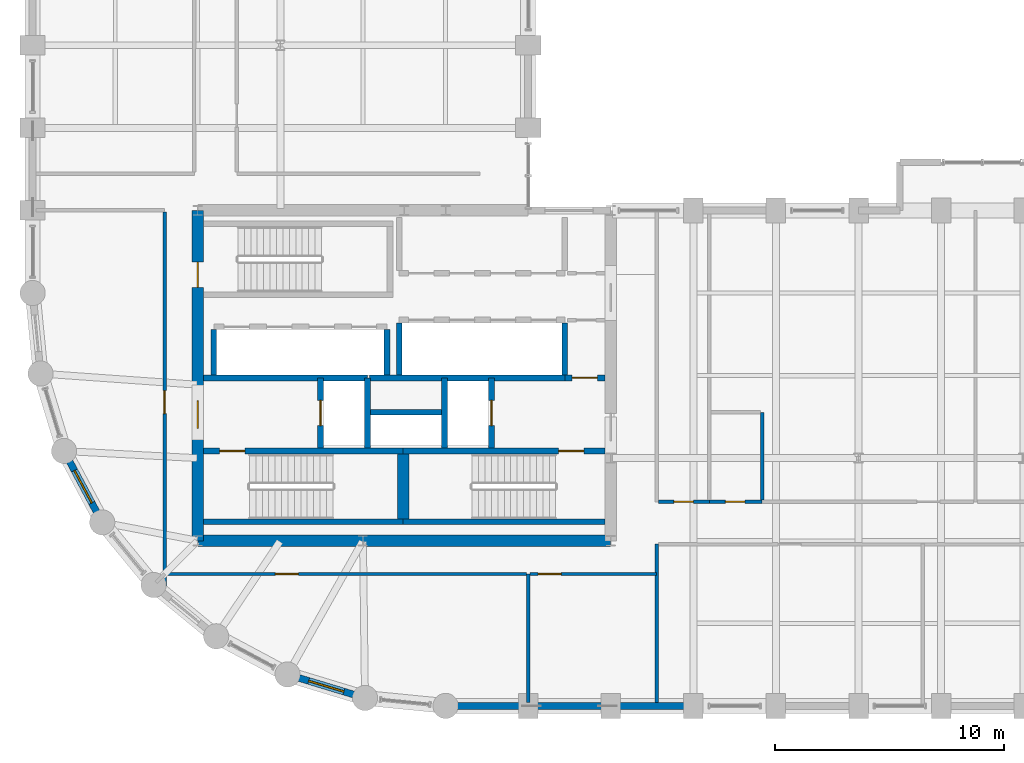
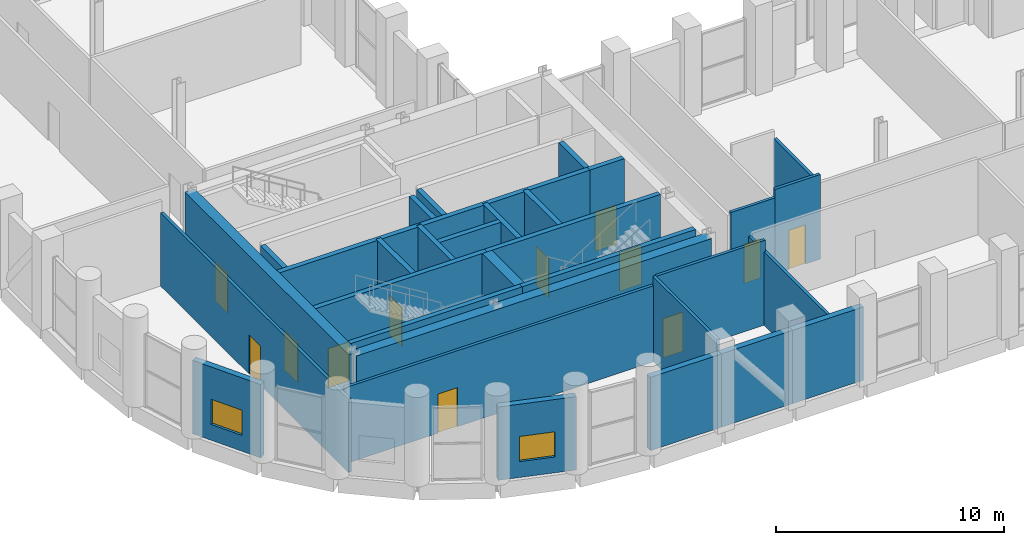
# One storey, part 18 of 22: 32 walls, 12 doors, 2 windows, 14 openings.
"""IFC4 building model written with IfcOpenShell, lengths in metres."""

from ifc_helpers import new_model, si_unit, direction, frame, frame_2d, origin, place, context, subcontext, project, spatial, rectangle, extrude, material, layer, layer_set, type_object, element, fill, save


model = new_model("IFC4")

# Units and contexts
model_context = context("Model", 3, precision=1e-05, world=origin(), true_north=direction((0.0, 1.0)))
body_context = subcontext(model_context, "Body", "Model", "MODEL_VIEW")
ifc_project = project(units=[si_unit("LENGTHUNIT", "METRE"), si_unit("AREAUNIT", "SQUARE_METRE"), si_unit("VOLUMEUNIT", "CUBIC_METRE"), si_unit("PLANEANGLEUNIT", "RADIAN"), si_unit("MASSUNIT", "GRAM", prefix="KILO")], contexts=[model_context])

# Site, building, storey
site_placement = place(None, origin())
site = spatial("IfcSite", under=ifc_project, at=site_placement, CompositionType="ELEMENT")
building_placement = place(site_placement, origin())
building = spatial("IfcBuilding", under=site, at=building_placement, Name="Solnavia Interchange Tower", CompositionType="ELEMENT")
storey_placement = place(building_placement, frame((0.0, 0.0, 115.199951171875)))
storey = spatial("IfcBuildingStorey", under=building, at=storey_placement, Name="L28", CompositionType="ELEMENT", Elevation=115.199951171875)

# Walls
ifc_material_1 = material(Name="Concrete C40/50", Category="concrete")
ifc_layer_1 = layer(ifc_material_1, 0.300048828125)
ifc_layer_set_1 = layer_set([ifc_layer_1], Name="Concrete C40/50")
wall_type_1 = type_object("IfcWallType", Name="Wall-ExtSpandrel-300", PredefinedType="STANDARD", material=ifc_layer_set_1)
wall_1_placement = place(storey_placement, frame((28.800048828125, 3.60009765625, 0.0), z_axis=(0.0, 0.0, 1.0), x_axis=(-1.0, 0.0, 0.0)))
element("IfcWall", 1, at=wall_1_placement, inside=storey, type_object=wall_type_1, Name="EXW-L28-01 Exterior precast spandrel wall", PredefinedType="STANDARD", context=body_context, shape_type="SweptSolid", body=[
    extrude(rectangle(XDim=3.60009765625, YDim=0.300048828125, at=frame_2d((1.800048828125, 0.0))), origin(), (0.0, 0.0, 1.0), 3.929931640625),
])
wall_2_placement = place(storey_placement, frame((32.39990234375, 3.60009765625, 0.0), z_axis=(0.0, 0.0, 1.0), x_axis=(-1.0, 0.0, 0.0)))
element("IfcWall", 2, at=wall_2_placement, inside=storey, type_object=wall_type_1, Name="EXW-L28-02 Exterior precast spandrel wall", PredefinedType="STANDARD", context=body_context, shape_type="SweptSolid", body=[
    extrude(rectangle(XDim=3.599853515625, YDim=0.300048828125, at=frame_2d((1.7998046875, 0.0))), origin(), (0.0, 0.0, 1.0), 3.929931640625),
])
wall_3_placement = place(storey_placement, frame((36.0, 3.60009765625, 0.0), z_axis=(0.0, 0.0, 1.0), x_axis=(-1.0, 0.0, 0.0)))
element("IfcWall", 3, at=wall_3_placement, inside=storey, type_object=wall_type_1, Name="EXW-L28-03 Exterior precast spandrel wall", PredefinedType="STANDARD", context=body_context, shape_type="SweptSolid", body=[
    extrude(rectangle(XDim=3.60009765625, YDim=0.300048828125, at=frame_2d((1.800048828125, 0.0))), origin(), (0.0, 0.0, 1.0), 3.929931640625),
])

# Wall, opening, window
wall_4_placement = place(storey_placement, frame((10.23388671875, 11.60009765625, 0.0), z_axis=(0.0, 0.0, 1.0), x_axis=(-0.47151087309, 0.881860247748, 0.0)))
wall_4 = element("IfcWall", 4, at=wall_4_placement, inside=storey, type_object=wall_type_1, Name="EXW-L28-57 Exterior precast spandrel wall", PredefinedType="STANDARD", context=body_context, shape_type="SweptSolid", body=[
    extrude(rectangle(XDim=3.52880859375, YDim=0.300048828125, at=frame_2d((1.764404296875, 0.0))), origin(), (0.0, 0.0, 1.0), 3.929931640625),
])
opening_1_placement = place(wall_4_placement, frame((0.964111328125, 0.0, 0.85009765625)))
opening_1 = element("IfcOpeningElement", 5, at=opening_1_placement, cuts=wall_4, Name="Opening WIN-04", PredefinedType="OPENING", context=body_context, shape_type="SweptSolid", body=[
    extrude(rectangle(XDim=1.60009765625, YDim=1.35009765625, at=frame_2d((0.800048828125, 0.675048828125))), frame((0.0, 0.16015625, 0.0), z_axis=(0.0, -1.0, 0.0), x_axis=(1.0, 0.0, 0.0)), (0.0, 0.0, 1.0), 0.320068359375),
])
ifc_material_2 = material(Name="Thermal-Break Aluminium & Low-E Glass", Category="aluminium")
window_type = type_object("IfcWindowType", Name="Window-Drum-1600x1350", PartitioningType="SINGLE_PANEL", PredefinedType="WINDOW", material=ifc_material_2)
window_1_placement = place(opening_1_placement, origin())
window_1 = element("IfcWindow", 6, at=window_1_placement, inside=storey, type_object=window_type, Name="WIN-L28-57 Facade ribbon window", OverallHeight=1.35009765625, OverallWidth=1.60009765625, PartitioningType="SINGLE_PANEL", PredefinedType="WINDOW", context=body_context, shape_type="SweptSolid", body=[
    extrude(rectangle(XDim=1.60009765625, YDim=1.35009765625, at=frame_2d((0.800048828125, 0.675048828125))), frame((0.0, 0.030029296875, 0.0), z_axis=(0.0, -1.0, 0.0), x_axis=(1.0, 0.0, 0.0)), (0.0, 0.0, 1.0), 0.06005859375),
])
fill(opening_1, window_1)

wall_5_placement = place(storey_placement, frame((21.68798828125, 3.946044921875, 0.0), z_axis=(0.0, 0.0, 1.0), x_axis=(-0.956953367403, 0.290241714123, 0.0)))
wall_5 = element("IfcWall", 7, at=wall_5_placement, inside=storey, type_object=wall_type_1, Name="EXW-L28-61 Exterior precast spandrel wall", PredefinedType="STANDARD", context=body_context, shape_type="SweptSolid", body=[
    extrude(rectangle(XDim=3.52783203125, YDim=0.300048828125, at=frame_2d((1.763916015625, 0.0))), origin(), (0.0, 0.0, 1.0), 3.929931640625),
])
opening_2_placement = place(wall_5_placement, frame((0.964111328125, 0.0, 0.85009765625)))
opening_2 = element("IfcOpeningElement", 8, at=opening_2_placement, cuts=wall_5, Name="Opening WIN-04", PredefinedType="OPENING", context=body_context, shape_type="SweptSolid", body=[
    extrude(rectangle(XDim=1.60009765625, YDim=1.35009765625, at=frame_2d((0.800048828125, 0.675048828125))), frame((0.0, 0.16015625, 0.0), z_axis=(0.0, -1.0, 0.0), x_axis=(1.0, 0.0, 0.0)), (0.0, 0.0, 1.0), 0.320068359375),
])
window_2_placement = place(opening_2_placement, origin())
window_2 = element("IfcWindow", 9, at=window_2_placement, inside=storey, type_object=window_type, Name="WIN-L28-61 Facade ribbon window", OverallHeight=1.35009765625, OverallWidth=1.60009765625, PartitioningType="SINGLE_PANEL", PredefinedType="WINDOW", context=body_context, shape_type="SweptSolid", body=[
    extrude(rectangle(XDim=1.60009765625, YDim=1.35009765625, at=frame_2d((0.800048828125, 0.675048828125))), frame((0.0, 0.030029296875, 0.0), z_axis=(0.0, -1.0, 0.0), x_axis=(1.0, 0.0, 0.0)), (0.0, 0.0, 1.0), 0.06005859375),
])
fill(opening_2, window_2)

# Wall
ifc_material_3 = material(Name="Gypsum Plasterboard & Steel Stud", Category="steel")
ifc_layer_2 = layer(ifc_material_3, 0.14990234375)
ifc_layer_set_2 = layer_set([ifc_layer_2], Name="Gypsum Plasterboard & Steel Stud")
wall_type_2 = type_object("IfcWallType", Name="Wall-Partition-150", PredefinedType="PARTITIONING", material=ifc_layer_set_2)
wall_6_placement = place(storey_placement, frame((28.800048828125, 9.35009765625, 0.0), z_axis=(0.0, 0.0, 1.0), x_axis=(0.0, -1.0, 0.0)))
element("IfcWall", 10, at=wall_6_placement, inside=storey, type_object=wall_type_2, Name="PTW-L28-08 Interior partition wall", PredefinedType="PARTITIONING", context=body_context, shape_type="SweptSolid", body=[
    extrude(rectangle(XDim=5.59619140625, YDim=0.14990234375, at=frame_2d((2.798095703125, 0.0))), origin(), (0.0, 0.0, 1.0), 4.53515625),
])

# Wall, opening, door
wall_7_placement = place(storey_placement, frame((12.949951171875, 8.6337890625, 0.0), z_axis=(0.0, 0.0, 1.0), x_axis=(0.0, 1.0, 0.0)))
wall_7 = element("IfcWall", 11, at=wall_7_placement, inside=storey, type_object=wall_type_2, Name="PTW-L28-10 Interior partition wall", PredefinedType="PARTITIONING", context=body_context, shape_type="SweptSolid", body=[
    extrude(rectangle(XDim=16.4873046875, YDim=0.14990234375, at=frame_2d((8.24365234375, 0.0))), origin(), (0.0, 0.0, 1.0), 3.929931640625),
])
opening_3_placement = place(wall_7_placement, frame((7.7060546875, 0.0, 0.0)))
opening_3 = element("IfcOpeningElement", 12, at=opening_3_placement, cuts=wall_7, Name="Opening DR-07", PredefinedType="OPENING", context=body_context, shape_type="SweptSolid", body=[
    extrude(rectangle(XDim=1.0, YDim=2.10009765625, at=frame_2d((0.5, 1.050048828125))), frame((0.0, 0.0849609375, 0.0), z_axis=(0.0, -1.0, 0.0), x_axis=(1.0, 0.0, 0.0)), (0.0, 0.0, 1.0), 0.169921875),
])
ifc_material_4 = material(Name="Timber & Acoustic Glazed Office Door", Category="wood")
door_type_1 = type_object("IfcDoorType", Name="Door-Office-1000x2100", OperationType="SINGLE_SWING_RIGHT", PredefinedType="DOOR", material=ifc_material_4)
door_1_placement = place(opening_3_placement, origin())
door_1 = element("IfcDoor", 13, at=door_1_placement, inside=storey, type_object=door_type_1, Name="DR-L28-03 Interior room door", OperationType="SINGLE_SWING_LEFT", OverallHeight=2.10009765625, OverallWidth=1.0, PredefinedType="DOOR", context=body_context, shape_type="SweptSolid", body=[
    extrude(rectangle(XDim=1.0, YDim=2.10009765625, at=frame_2d((0.5, 1.050048828125))), frame((0.0, 0.02490234375, 0.0), z_axis=(0.0, -1.0, 0.0), x_axis=(1.0, 0.0, 0.0)), (0.0, 0.0, 1.0), 0.050048828125),
])
fill(opening_3, door_1)

wall_8_placement = place(storey_placement, frame((13.080078125, 9.35009765625, 0.0), z_axis=(0.0, 0.0, 1.0), x_axis=(1.0, 0.0, 0.0)))
wall_8 = element("IfcWall", 14, at=wall_8_placement, inside=storey, type_object=wall_type_2, Name="PTW-L28-11 Interior partition wall", PredefinedType="PARTITIONING", context=body_context, shape_type="SweptSolid", body=[
    extrude(rectangle(XDim=15.640869140625, YDim=0.14990234375, at=frame_2d((7.8203125, 0.0))), origin(), (0.0, 0.0, 1.0), 4.080078125),
])
opening_4_placement = place(wall_8_placement, frame((4.7060546875, 0.0, 0.0)))
opening_4 = element("IfcOpeningElement", 15, at=opening_4_placement, cuts=wall_8, Name="Opening DR-07", PredefinedType="OPENING", context=body_context, shape_type="SweptSolid", body=[
    extrude(rectangle(XDim=1.0, YDim=2.10009765625, at=frame_2d((0.5, 1.050048828125))), frame((0.0, 0.0849609375, 0.0), z_axis=(0.0, -1.0, 0.0), x_axis=(1.0, 0.0, 0.0)), (0.0, 0.0, 1.0), 0.169921875),
])
door_2_placement = place(opening_4_placement, origin())
door_2 = element("IfcDoor", 16, at=door_2_placement, inside=storey, type_object=door_type_1, Name="DR-L28-04 Interior room door", OperationType="SINGLE_SWING_RIGHT", OverallHeight=2.10009765625, OverallWidth=1.0, PredefinedType="DOOR", context=body_context, shape_type="SweptSolid", body=[
    extrude(rectangle(XDim=1.0, YDim=2.10009765625, at=frame_2d((0.5, 1.050048828125))), frame((0.0, 0.02490234375, 0.0), z_axis=(0.0, -1.0, 0.0), x_axis=(1.0, 0.0, 0.0)), (0.0, 0.0, 1.0), 0.050048828125),
])
fill(opening_4, door_2)

wall_9_placement = place(storey_placement, frame((28.87890625, 9.35009765625, 0.0), z_axis=(0.0, 0.0, 1.0), x_axis=(1.0, 0.0, 0.0)))
wall_9 = element("IfcWall", 17, at=wall_9_placement, inside=storey, type_object=wall_type_2, Name="PTW-L28-12 Interior partition wall", PredefinedType="PARTITIONING", context=body_context, shape_type="SweptSolid", body=[
    extrude(rectangle(XDim=5.52099609375, YDim=0.14990234375, at=frame_2d((2.760498046875, 0.0))), origin(), (0.0, 0.0, 1.0), 4.53515625),
])
opening_5_placement = place(wall_9_placement, frame((0.360107421875, 0.0, 0.0)))
opening_5 = element("IfcOpeningElement", 18, at=opening_5_placement, cuts=wall_9, Name="Opening DR-07", PredefinedType="OPENING", context=body_context, shape_type="SweptSolid", body=[
    extrude(rectangle(XDim=1.0, YDim=2.10009765625, at=frame_2d((0.5, 1.050048828125))), frame((0.0, 0.0849609375, 0.0), z_axis=(0.0, -1.0, 0.0), x_axis=(1.0, 0.0, 0.0)), (0.0, 0.0, 1.0), 0.169921875),
])
door_3_placement = place(opening_5_placement, origin())
door_3 = element("IfcDoor", 19, at=door_3_placement, inside=storey, type_object=door_type_1, Name="DR-L28-05 Interior room door", OperationType="SINGLE_SWING_LEFT", OverallHeight=2.10009765625, OverallWidth=1.0, PredefinedType="DOOR", context=body_context, shape_type="SweptSolid", body=[
    extrude(rectangle(XDim=1.0, YDim=2.10009765625, at=frame_2d((0.5, 1.050048828125))), frame((0.0, 0.02490234375, 0.0), z_axis=(0.0, -1.0, 0.0), x_axis=(1.0, 0.0, 0.0)), (0.0, 0.0, 1.0), 0.050048828125),
])
fill(opening_5, door_3)

# Walls
wall_10_placement = place(storey_placement, frame((34.39990234375, 3.75390625, 0.0), z_axis=(0.0, 0.0, 1.0), x_axis=(0.0, 1.0, 0.0)))
element("IfcWall", 20, at=wall_10_placement, inside=storey, type_object=wall_type_2, Name="PTW-L28-13 Interior partition wall", PredefinedType="PARTITIONING", context=body_context, shape_type="SweptSolid", body=[
    extrude(rectangle(XDim=6.89599609375, YDim=0.14990234375, at=frame_2d((3.447998046875, 0.0))), origin(), (0.0, 0.0, 1.0), 3.929931640625),
])
ifc_layer_3 = layer(ifc_material_1, 0.25)
ifc_layer_set_3 = layer_set([ifc_layer_3], Name="Concrete C40/50")
wall_type_3 = type_object("IfcWallType", Name="Wall-ShaftCore-250", PredefinedType="SHEAR", material=ifc_layer_set_3)
wall_11_placement = place(storey_placement, frame((14.64990234375, 11.625, 0.0), z_axis=(0.0, 0.0, 1.0), x_axis=(1.0, 0.0, 0.0)))
element("IfcWall", 21, at=wall_11_placement, inside=storey, type_object=wall_type_3, Name="SHW-L28-ST1S Core shear wall", PredefinedType="SHEAR", context=body_context, shape_type="SweptSolid", body=[
    extrude(rectangle(XDim=8.7001953125, YDim=0.25, at=frame_2d((4.35009765625, 0.0))), origin(), (0.0, 0.0, 1.0), 4.550048828125),
])

# Wall, opening, door
wall_12_placement = place(storey_placement, frame((14.64990234375, 14.715087890625, 0.0), z_axis=(0.0, 0.0, 1.0), x_axis=(1.0, 0.0, 0.0)))
wall_12 = element("IfcWall", 22, at=wall_12_placement, inside=storey, type_object=wall_type_3, Name="SHW-L28-ST1N Core shear wall", PredefinedType="SHEAR", context=body_context, shape_type="SweptSolid", body=[
    extrude(rectangle(XDim=8.7001953125, YDim=0.25, at=frame_2d((4.35009765625, 0.0))), origin(), (0.0, 0.0, 1.0), 4.550048828125),
])
opening_6_placement = place(wall_12_placement, frame((0.705078125, 0.0, 0.0)))
opening_6 = element("IfcOpeningElement", 23, at=opening_6_placement, cuts=wall_12, Name="Opening DR-01", PredefinedType="OPENING", context=body_context, shape_type="SweptSolid", body=[
    extrude(rectangle(XDim=1.10009765625, YDim=2.10009765625, at=frame_2d((0.550048828125, 1.050048828125))), frame((0.0, 0.135009765625, 0.0), z_axis=(0.0, -1.0, 0.0), x_axis=(1.0, 0.0, 0.0)), (0.0, 0.0, 1.0), 0.27001953125),
])
ifc_material_5 = material(Name="Steel Fire-Rated Leaf & Frame", Category="steel")
door_type_2 = type_object("IfcDoorType", Name="Door-StairFire-1100x2100", OperationType="SINGLE_SWING_LEFT", PredefinedType="DOOR", material=ifc_material_5)
door_4_placement = place(opening_6_placement, origin())
door_4 = element("IfcDoor", 24, at=door_4_placement, inside=storey, type_object=door_type_2, Name="DR-L28-ST1 Core fire door", OperationType="SINGLE_SWING_LEFT", OverallHeight=2.10009765625, OverallWidth=1.10009765625, PredefinedType="DOOR", context=body_context, shape_type="SweptSolid", body=[
    extrude(rectangle(XDim=1.10009765625, YDim=2.10009765625, at=frame_2d((0.550048828125, 1.050048828125))), frame((0.0, 0.02490234375, 0.0), z_axis=(0.0, -1.0, 0.0), x_axis=(1.0, 0.0, 0.0)), (0.0, 0.0, 1.0), 0.050048828125),
])
fill(opening_6, door_4)

# Wall
wall_13_placement = place(storey_placement, frame((23.35009765625, 11.625, 0.0), z_axis=(0.0, 0.0, 1.0), x_axis=(1.0, 0.0, 0.0)))
element("IfcWall", 25, at=wall_13_placement, inside=storey, type_object=wall_type_3, Name="SHW-L28-ST2S Core shear wall", PredefinedType="SHEAR", context=body_context, shape_type="SweptSolid", body=[
    extrude(rectangle(XDim=8.7998046875, YDim=0.25, at=frame_2d((4.39990234375, 0.0))), origin(), (0.0, 0.0, 1.0), 4.550048828125),
])

# Wall, opening, door
wall_14_placement = place(storey_placement, frame((23.35009765625, 14.715087890625, 0.0), z_axis=(0.0, 0.0, 1.0), x_axis=(1.0, 0.0, 0.0)))
wall_14 = element("IfcWall", 26, at=wall_14_placement, inside=storey, type_object=wall_type_3, Name="SHW-L28-ST2N Core shear wall", PredefinedType="SHEAR", context=body_context, shape_type="SweptSolid", body=[
    extrude(rectangle(XDim=8.7998046875, YDim=0.25, at=frame_2d((4.39990234375, 0.0))), origin(), (0.0, 0.0, 1.0), 4.550048828125),
])
opening_7_placement = place(wall_14_placement, frame((6.77490234375, 0.0, 0.0)))
opening_7 = element("IfcOpeningElement", 27, at=opening_7_placement, cuts=wall_14, Name="Opening DR-01", PredefinedType="OPENING", context=body_context, shape_type="SweptSolid", body=[
    extrude(rectangle(XDim=1.10009765625, YDim=2.10009765625, at=frame_2d((0.550048828125, 1.050048828125))), frame((0.0, 0.135009765625, 0.0), z_axis=(0.0, -1.0, 0.0), x_axis=(1.0, 0.0, 0.0)), (0.0, 0.0, 1.0), 0.27001953125),
])
door_5_placement = place(opening_7_placement, origin())
door_5 = element("IfcDoor", 28, at=door_5_placement, inside=storey, type_object=door_type_2, Name="DR-L28-ST2 Core fire door", OperationType="SINGLE_SWING_LEFT", OverallHeight=2.10009765625, OverallWidth=1.10009765625, PredefinedType="DOOR", context=body_context, shape_type="SweptSolid", body=[
    extrude(rectangle(XDim=1.10009765625, YDim=2.10009765625, at=frame_2d((0.550048828125, 1.050048828125))), frame((0.0, 0.02490234375, 0.0), z_axis=(0.0, -1.0, 0.0), x_axis=(1.0, 0.0, 0.0)), (0.0, 0.0, 1.0), 0.050048828125),
])
fill(opening_7, door_5)

# Wall
ifc_layer_4 = layer(ifc_material_1, 0.25)
ifc_layer_set_4 = layer_set([ifc_layer_4], Name="Concrete C40/50")
wall_type_4 = type_object("IfcWallType", Name="Wall-ShaftPart-250", PredefinedType="PARTITIONING", material=ifc_layer_set_4)
wall_15_placement = place(storey_placement, frame((14.64990234375, 17.89990234375, 0.0), z_axis=(0.0, 0.0, 1.0), x_axis=(1.0, 0.0, 0.0)))
element("IfcWall", 29, at=wall_15_placement, inside=storey, type_object=wall_type_4, Name="SHW-L28-FFLW-N Core shaft wall", PredefinedType="PARTITIONING", context=body_context, shape_type="SweptSolid", body=[
    extrude(rectangle(XDim=7.150146484375, YDim=0.25, at=frame_2d((3.5751953125, 0.0))), origin(), (0.0, 0.0, 1.0), 4.53515625),
])

# Wall, opening, door
wall_16_placement = place(storey_placement, frame((19.75, 14.840087890625, 0.0), z_axis=(0.0, 0.0, 1.0), x_axis=(0.0, 1.0, 0.0)))
wall_16 = element("IfcWall", 30, at=wall_16_placement, inside=storey, type_object=wall_type_4, Name="SHW-L28-FFL1-W Core shaft wall", PredefinedType="PARTITIONING", context=body_context, shape_type="SweptSolid", body=[
    extrude(rectangle(XDim=3.059814453125, YDim=0.25, at=frame_2d((1.52978515625, 0.0))), origin(), (0.0, 0.0, 1.0), 4.53515625),
])
opening_8_placement = place(wall_16_placement, frame((0.97998046875, 0.0, 0.0)))
opening_8 = element("IfcOpeningElement", 31, at=opening_8_placement, cuts=wall_16, Name="Opening LD-01", PredefinedType="OPENING", context=body_context, shape_type="SweptSolid", body=[
    extrude(rectangle(XDim=1.10009765625, YDim=2.10009765625, at=frame_2d((0.550048828125, 1.050048828125))), frame((0.0, 0.135009765625, 0.0), z_axis=(0.0, -1.0, 0.0), x_axis=(1.0, 0.0, 0.0)), (0.0, 0.0, 1.0), 0.27001953125),
])
ifc_material_6 = material(Name="Brushed Stainless Steel Sliding Door", Category="steel")
door_type_3 = type_object("IfcDoorType", Name="Door-LiftLanding-1100x2100", OperationType="SLIDING_TO_LEFT", PredefinedType="DOOR", material=ifc_material_6)
door_6_placement = place(opening_8_placement, origin())
door_6 = element("IfcDoor", 32, at=door_6_placement, inside=storey, type_object=door_type_3, Name="LD-L28-FFL1 Lift landing sliding door", OperationType="SLIDING_TO_LEFT", OverallHeight=2.10009765625, OverallWidth=1.10009765625, PredefinedType="DOOR", context=body_context, shape_type="SweptSolid", body=[
    extrude(rectangle(XDim=1.10009765625, YDim=2.10009765625, at=frame_2d((0.550048828125, 1.050048828125))), frame((0.0, 0.02490234375, 0.0), z_axis=(0.0, -1.0, 0.0), x_axis=(1.0, 0.0, 0.0)), (0.0, 0.0, 1.0), 0.050048828125),
])
fill(opening_8, door_6)

# Walls
wall_17_placement = place(storey_placement, frame((21.800048828125, 14.840087890625, 0.0), z_axis=(0.0, 0.0, 1.0), x_axis=(0.0, 1.0, 0.0)))
element("IfcWall", 33, at=wall_17_placement, inside=storey, type_object=wall_type_4, Name="SHW-L28-FFL1-E Core shaft wall", PredefinedType="PARTITIONING", context=body_context, shape_type="SweptSolid", body=[
    extrude(rectangle(XDim=3.059814453125, YDim=0.25, at=frame_2d((1.52978515625, 0.0))), origin(), (0.0, 0.0, 1.0), 4.53515625),
])
wall_18_placement = place(storey_placement, frame((21.8798828125, 17.89990234375, 0.0), z_axis=(0.0, 0.0, 1.0), x_axis=(1.0, 0.0, 0.0)))
element("IfcWall", 34, at=wall_18_placement, inside=storey, type_object=wall_type_4, Name="SHW-L28-FFLE-N1 Core shaft wall", PredefinedType="PARTITIONING", context=body_context, shape_type="SweptSolid", body=[
    extrude(rectangle(XDim=8.52001953125, YDim=0.25, at=frame_2d((4.260009765625, 0.0))), origin(), (0.0, 0.0, 1.0), 4.53515625),
])

# Wall, opening, door
wall_19_placement = place(storey_placement, frame((30.39990234375, 17.89990234375, 0.0), z_axis=(0.0, 0.0, 1.0), x_axis=(1.0, 0.0, 0.0)))
wall_19 = element("IfcWall", 35, at=wall_19_placement, inside=storey, type_object=wall_type_4, Name="SHW-L28-FFLE-N2 Core shaft wall", PredefinedType="PARTITIONING", context=body_context, shape_type="SweptSolid", body=[
    extrude(rectangle(XDim=1.75, YDim=0.25, at=frame_2d((0.875, 0.0))), origin(), (0.0, 0.0, 1.0), 4.53515625),
])
opening_9_placement = place(wall_19_placement, frame((0.320068359375, 0.0, 0.0)))
opening_9 = element("IfcOpeningElement", 36, at=opening_9_placement, cuts=wall_19, Name="Opening DR-01", PredefinedType="OPENING", context=body_context, shape_type="SweptSolid", body=[
    extrude(rectangle(XDim=1.10009765625, YDim=2.10009765625, at=frame_2d((0.550048828125, 1.050048828125))), frame((0.0, 0.135009765625, 0.0), z_axis=(0.0, -1.0, 0.0), x_axis=(1.0, 0.0, 0.0)), (0.0, 0.0, 1.0), 0.27001953125),
])
door_7_placement = place(opening_9_placement, origin())
door_7 = element("IfcDoor", 37, at=door_7_placement, inside=storey, type_object=door_type_2, Name="DR-L28-LLC Core fire door", OperationType="SINGLE_SWING_LEFT", OverallHeight=2.10009765625, OverallWidth=1.10009765625, PredefinedType="DOOR", context=body_context, shape_type="SweptSolid", body=[
    extrude(rectangle(XDim=1.10009765625, YDim=2.10009765625, at=frame_2d((0.550048828125, 1.050048828125))), frame((0.0, 0.02490234375, 0.0), z_axis=(0.0, -1.0, 0.0), x_axis=(1.0, 0.0, 0.0)), (0.0, 0.0, 1.0), 0.050048828125),
])
fill(opening_9, door_7)

# Wall
wall_20_placement = place(storey_placement, frame((25.14990234375, 14.840087890625, 0.0), z_axis=(0.0, 0.0, 1.0), x_axis=(0.0, 1.0, 0.0)))
element("IfcWall", 38, at=wall_20_placement, inside=storey, type_object=wall_type_4, Name="SHW-L28-FFL2-W Core shaft wall", PredefinedType="PARTITIONING", context=body_context, shape_type="SweptSolid", body=[
    extrude(rectangle(XDim=3.059814453125, YDim=0.25, at=frame_2d((1.52978515625, 0.0))), origin(), (0.0, 0.0, 1.0), 4.53515625),
])

# Wall, opening, door
wall_21_placement = place(storey_placement, frame((27.199951171875, 14.840087890625, 0.0), z_axis=(0.0, 0.0, 1.0), x_axis=(0.0, 1.0, 0.0)))
wall_21 = element("IfcWall", 39, at=wall_21_placement, inside=storey, type_object=wall_type_4, Name="SHW-L28-FFL2-E Core shaft wall", PredefinedType="PARTITIONING", context=body_context, shape_type="SweptSolid", body=[
    extrude(rectangle(XDim=3.059814453125, YDim=0.25, at=frame_2d((1.52978515625, 0.0))), origin(), (0.0, 0.0, 1.0), 4.53515625),
])
opening_10_placement = place(wall_21_placement, frame((0.97998046875, 0.0, 0.0)))
opening_10 = element("IfcOpeningElement", 40, at=opening_10_placement, cuts=wall_21, Name="Opening LD-01", PredefinedType="OPENING", context=body_context, shape_type="SweptSolid", body=[
    extrude(rectangle(XDim=1.10009765625, YDim=2.10009765625, at=frame_2d((0.550048828125, 1.050048828125))), frame((0.0, 0.135009765625, 0.0), z_axis=(0.0, -1.0, 0.0), x_axis=(1.0, 0.0, 0.0)), (0.0, 0.0, 1.0), 0.27001953125),
])
door_8_placement = place(opening_10_placement, origin())
door_8 = element("IfcDoor", 41, at=door_8_placement, inside=storey, type_object=door_type_3, Name="LD-L28-FFL2 Lift landing sliding door", OperationType="SLIDING_TO_LEFT", OverallHeight=2.10009765625, OverallWidth=1.10009765625, PredefinedType="DOOR", context=body_context, shape_type="SweptSolid", body=[
    extrude(rectangle(XDim=1.10009765625, YDim=2.10009765625, at=frame_2d((0.550048828125, 1.050048828125))), frame((0.0, 0.02490234375, 0.0), z_axis=(0.0, -1.0, 0.0), x_axis=(1.0, 0.0, 0.0)), (0.0, 0.0, 1.0), 0.050048828125),
])
fill(opening_10, door_8)

# Walls
wall_22_placement = place(storey_placement, frame((21.800048828125, 16.39990234375, 0.0), z_axis=(0.0, 0.0, 1.0), x_axis=(1.0, 0.0, 0.0)))
element("IfcWall", 42, at=wall_22_placement, inside=storey, type_object=wall_type_4, Name="SHW-L28-MEP-N Core shaft wall", PredefinedType="PARTITIONING", context=body_context, shape_type="SweptSolid", body=[
    extrude(rectangle(XDim=3.349853515625, YDim=0.25, at=frame_2d((1.6748046875, 0.0))), origin(), (0.0, 0.0, 1.0), 4.53515625),
])
for number, where, z_axis, x_axis, name in (
    (43, (15.10009765625, 18.02490234375, 0.0), (0.0, 0.0, 1.0), (0.0, 1.0, 0.0), "SHW-L28-B1W Core shaft wall"),
    (44, (22.64990234375, 18.02490234375, 0.0), (0.0, 0.0, 1.0), (0.0, 1.0, 0.0), "SHW-L28-B1E Core shaft wall"),
):
    element("IfcWall", number, at=place(storey_placement, frame(where, z_axis=z_axis, x_axis=x_axis)), inside=storey, type_object=wall_type_4, Name=name, PredefinedType="PARTITIONING", context=body_context, shape_type="SweptSolid", body=[
        extrude(rectangle(XDim=1.97509765625, YDim=0.25, at=frame_2d((0.987548828125, 0.0))), origin(), (0.0, 0.0, 1.0), 4.53515625),
    ])
for number, where, z_axis, x_axis, name in (
    (45, (23.179931640625, 18.02490234375, 0.0), (0.0, 0.0, 1.0), (0.0, 1.0, 0.0), "SHW-L28-B2W Core shaft wall"),
    (46, (30.39990234375, 18.02490234375, 0.0), (0.0, 0.0, 1.0), (0.0, 1.0, 0.0), "SHW-L28-B2E Core shaft wall"),
):
    element("IfcWall", number, at=place(storey_placement, frame(where, z_axis=z_axis, x_axis=x_axis)), inside=storey, type_object=wall_type_4, Name=name, PredefinedType="PARTITIONING", context=body_context, shape_type="SweptSolid", body=[
        extrude(rectangle(XDim=2.27001953125, YDim=0.25, at=frame_2d((1.135009765625, 0.0))), origin(), (0.0, 0.0, 1.0), 4.53515625),
    ])
ifc_material_7 = material(Name="Concrete C60/75", Category="concrete")
ifc_layer_5 = layer(ifc_material_7, 0.5)
ifc_layer_set_5 = layer_set([ifc_layer_5], Name="Concrete C60/75")
wall_type_5 = type_object("IfcWallType", Name="Wall-ShearCore-500", PredefinedType="SHEAR", material=ifc_layer_set_5)
wall_23_placement = place(storey_placement, frame((14.39990234375, 10.800048828125, 0.0), z_axis=(0.0, 0.0, 1.0), x_axis=(1.0, 0.0, 0.0)))
element("IfcWall", 47, at=wall_23_placement, inside=storey, type_object=wall_type_5, Name="CRW-L28-S Core shear wall", PredefinedType="SHEAR", context=body_context, shape_type="SweptSolid", body=[
    extrude(rectangle(XDim=18.0, YDim=0.5, at=frame_2d((9.0, 0.0))), origin(), (0.0, 0.0, 1.0), 4.550048828125),
])

# Wall, openings, doors
wall_24_placement = place(storey_placement, frame((14.39990234375, 10.800048828125, 0.0), z_axis=(0.0, 0.0, 1.0), x_axis=(0.0, 1.0, 0.0)))
wall_24 = element("IfcWall", 48, at=wall_24_placement, inside=storey, type_object=wall_type_5, Name="CRW-L28-W Core shear wall", PredefinedType="SHEAR", context=body_context, shape_type="SweptSolid", body=[
    extrude(rectangle(XDim=14.39990234375, YDim=0.5, at=frame_2d((7.199951171875, 0.0))), origin(), (0.0, 0.0, 1.0), 4.550048828125),
])
opening_11_placement = place(wall_24_placement, frame((11.050048828125, 0.0, 0.0)))
opening_11 = element("IfcOpeningElement", 49, at=opening_11_placement, cuts=wall_24, Name="Opening DR-01", PredefinedType="OPENING", context=body_context, shape_type="SweptSolid", body=[
    extrude(rectangle(XDim=1.10009765625, YDim=2.10009765625, at=frame_2d((0.550048828125, 1.050048828125))), frame((0.0, 0.260009765625, 0.0), z_axis=(0.0, -1.0, 0.0), x_axis=(1.0, 0.0, 0.0)), (0.0, 0.0, 1.0), 0.52001953125),
])
opening_12_placement = place(wall_24_placement, frame((4.89990234375, 0.0, 0.0)))
opening_12 = element("IfcOpeningElement", 50, at=opening_12_placement, cuts=wall_24, Name="Opening DR-02", PredefinedType="OPENING", context=body_context, shape_type="SweptSolid", body=[
    extrude(rectangle(XDim=1.199951171875, YDim=2.10009765625, at=frame_2d((0.60009765625, 1.050048828125))), frame((0.0, 0.260009765625, 0.0), z_axis=(0.0, -1.0, 0.0), x_axis=(1.0, 0.0, 0.0)), (0.0, 0.0, 1.0), 0.52001953125),
])
ifc_material_8 = material(Name="Steel Fire-Rated Vision-Panel Door", Category="steel")
door_type_4 = type_object("IfcDoorType", Name="Door-LobbyFire-1200x2100", OperationType="SINGLE_SWING_RIGHT", PredefinedType="DOOR", material=ifc_material_8)
door_9_placement = place(opening_12_placement, origin())
door_9 = element("IfcDoor", 51, at=door_9_placement, inside=storey, type_object=door_type_4, Name="DR-L28-FFL1W Core fire door", OperationType="SINGLE_SWING_RIGHT", OverallHeight=2.10009765625, OverallWidth=1.199951171875, PredefinedType="DOOR", context=body_context, shape_type="SweptSolid", body=[
    extrude(rectangle(XDim=1.199951171875, YDim=2.10009765625, at=frame_2d((0.60009765625, 1.050048828125))), frame((0.0, 0.02490234375, 0.0), z_axis=(0.0, -1.0, 0.0), x_axis=(1.0, 0.0, 0.0)), (0.0, 0.0, 1.0), 0.050048828125),
])
fill(opening_12, door_9)
door_10_placement = place(opening_11_placement, origin())
door_10 = element("IfcDoor", 52, at=door_10_placement, inside=storey, type_object=door_type_2, Name="DR-L28-ST3 Core fire door", OperationType="SINGLE_SWING_RIGHT", OverallHeight=2.10009765625, OverallWidth=1.10009765625, PredefinedType="DOOR", context=body_context, shape_type="SweptSolid", body=[
    extrude(rectangle(XDim=1.10009765625, YDim=2.10009765625, at=frame_2d((0.550048828125, 1.050048828125))), frame((0.0, 0.02490234375, 0.0), z_axis=(0.0, -1.0, 0.0), x_axis=(1.0, 0.0, 0.0)), (0.0, 0.0, 1.0), 0.050048828125),
])
fill(opening_11, door_10)

# Wall
wall_25_placement = place(storey_placement, frame((23.35009765625, 11.75, 0.0), z_axis=(0.0, 0.0, 1.0), x_axis=(0.0, 1.0, 0.0)))
element("IfcWall", 53, at=wall_25_placement, inside=storey, type_object=wall_type_5, Name="SHW-L28-ST12M Core shear wall", PredefinedType="SHEAR", context=body_context, shape_type="SweptSolid", body=[
    extrude(rectangle(XDim=2.840087890625, YDim=0.5, at=frame_2d((1.419921875, 0.0))), origin(), (0.0, 0.0, 1.0), 4.550048828125),
])

# Wall, opening, door
ifc_material_9 = material(Name="Moisture-Resistant Gypsum & Steel Stud", Category="steel")
ifc_layer_6 = layer(ifc_material_9, 0.14990234375)
ifc_layer_set_6 = layer_set([ifc_layer_6], Name="Moisture-Resistant Gypsum & Steel Stud")
wall_type_6 = type_object("IfcWallType", Name="Wall-WetRoom-150", PredefinedType="PARTITIONING", material=ifc_layer_set_6)
wall_26_placement = place(storey_placement, frame((34.47900390625, 12.5, 0.0), z_axis=(0.0, 0.0, 1.0), x_axis=(1.0, 0.0, 0.0)))
wall_26 = element("IfcWall", 54, at=wall_26_placement, inside=storey, type_object=wall_type_6, Name="PTW-L28-02 Interior partition wall", PredefinedType="PARTITIONING", context=body_context, shape_type="SweptSolid", body=[
    extrude(rectangle(XDim=2.220947265625, YDim=0.14990234375, at=frame_2d((1.1103515625, 0.0))), origin(), (0.0, 0.0, 1.0), 4.080078125),
])
opening_13_placement = place(wall_26_placement, frame((0.674072265625, 0.0, 0.0)))
opening_13 = element("IfcOpeningElement", 55, at=opening_13_placement, cuts=wall_26, Name="Opening DR-10", PredefinedType="OPENING", context=body_context, shape_type="SweptSolid", body=[
    extrude(rectangle(XDim=0.85009765625, YDim=2.10009765625, at=frame_2d((0.425048828125, 1.050048828125))), frame((0.0, 0.0849609375, 0.0), z_axis=(0.0, -1.0, 0.0), x_axis=(1.0, 0.0, 0.0)), (0.0, 0.0, 1.0), 0.169921875),
])
ifc_material_10 = material(Name="Moisture-Resistant Timber Door", Category="wood")
door_type_5 = type_object("IfcDoorType", Name="Door-Bathroom-850x2100", OperationType="SINGLE_SWING_RIGHT", PredefinedType="DOOR", material=ifc_material_10)
door_11_placement = place(opening_13_placement, origin())
door_11 = element("IfcDoor", 56, at=door_11_placement, inside=storey, type_object=door_type_5, Name="DR-L28-01 Interior room door", OperationType="SINGLE_SWING_RIGHT", OverallHeight=2.10009765625, OverallWidth=0.85009765625, PredefinedType="DOOR", context=body_context, shape_type="SweptSolid", body=[
    extrude(rectangle(XDim=0.85009765625, YDim=2.10009765625, at=frame_2d((0.425048828125, 1.050048828125))), frame((0.0, 0.02490234375, 0.0), z_axis=(0.0, -1.0, 0.0), x_axis=(1.0, 0.0, 0.0)), (0.0, 0.0, 1.0), 0.050048828125),
])
fill(opening_13, door_11)

wall_27_placement = place(storey_placement, frame((36.699951171875, 12.5, 0.0), z_axis=(0.0, 0.0, 1.0), x_axis=(1.0, 0.0, 0.0)))
wall_27 = element("IfcWall", 57, at=wall_27_placement, inside=storey, type_object=wall_type_6, Name="PTW-L28-04 Interior partition wall", PredefinedType="PARTITIONING", context=body_context, shape_type="SweptSolid", body=[
    extrude(rectangle(XDim=2.300048828125, YDim=0.14990234375, at=frame_2d((1.14990234375, 0.0))), origin(), (0.0, 0.0, 1.0), 4.53515625),
])
opening_14_placement = place(wall_27_placement, frame((0.697021484375, 0.0, 0.0)))
opening_14 = element("IfcOpeningElement", 58, at=opening_14_placement, cuts=wall_27, Name="Opening DR-10", PredefinedType="OPENING", context=body_context, shape_type="SweptSolid", body=[
    extrude(rectangle(XDim=0.85009765625, YDim=2.10009765625, at=frame_2d((0.425048828125, 1.050048828125))), frame((0.0, 0.0849609375, 0.0), z_axis=(0.0, -1.0, 0.0), x_axis=(1.0, 0.0, 0.0)), (0.0, 0.0, 1.0), 0.169921875),
])
door_12_placement = place(opening_14_placement, origin())
door_12 = element("IfcDoor", 59, at=door_12_placement, inside=storey, type_object=door_type_5, Name="DR-L28-02 Interior room door", OperationType="SINGLE_SWING_RIGHT", OverallHeight=2.10009765625, OverallWidth=0.85009765625, PredefinedType="DOOR", context=body_context, shape_type="SweptSolid", body=[
    extrude(rectangle(XDim=0.85009765625, YDim=2.10009765625, at=frame_2d((0.425048828125, 1.050048828125))), frame((0.0, 0.02490234375, 0.0), z_axis=(0.0, -1.0, 0.0), x_axis=(1.0, 0.0, 0.0)), (0.0, 0.0, 1.0), 0.050048828125),
])
fill(opening_14, door_12)

# Wall
wall_28_placement = place(storey_placement, frame((39.0, 12.5791015625, 0.0), z_axis=(0.0, 0.0, 1.0), x_axis=(0.0, 1.0, 0.0)))
element("IfcWall", 60, at=wall_28_placement, inside=storey, type_object=wall_type_6, Name="PTW-L28-05 Interior partition wall", PredefinedType="PARTITIONING", context=body_context, shape_type="SweptSolid", body=[
    extrude(rectangle(XDim=3.82080078125, YDim=0.14990234375, at=frame_2d((1.910400390625, 0.0))), origin(), (0.0, 0.0, 1.0), 4.080078125),
])

save(model, "model.ifc")
